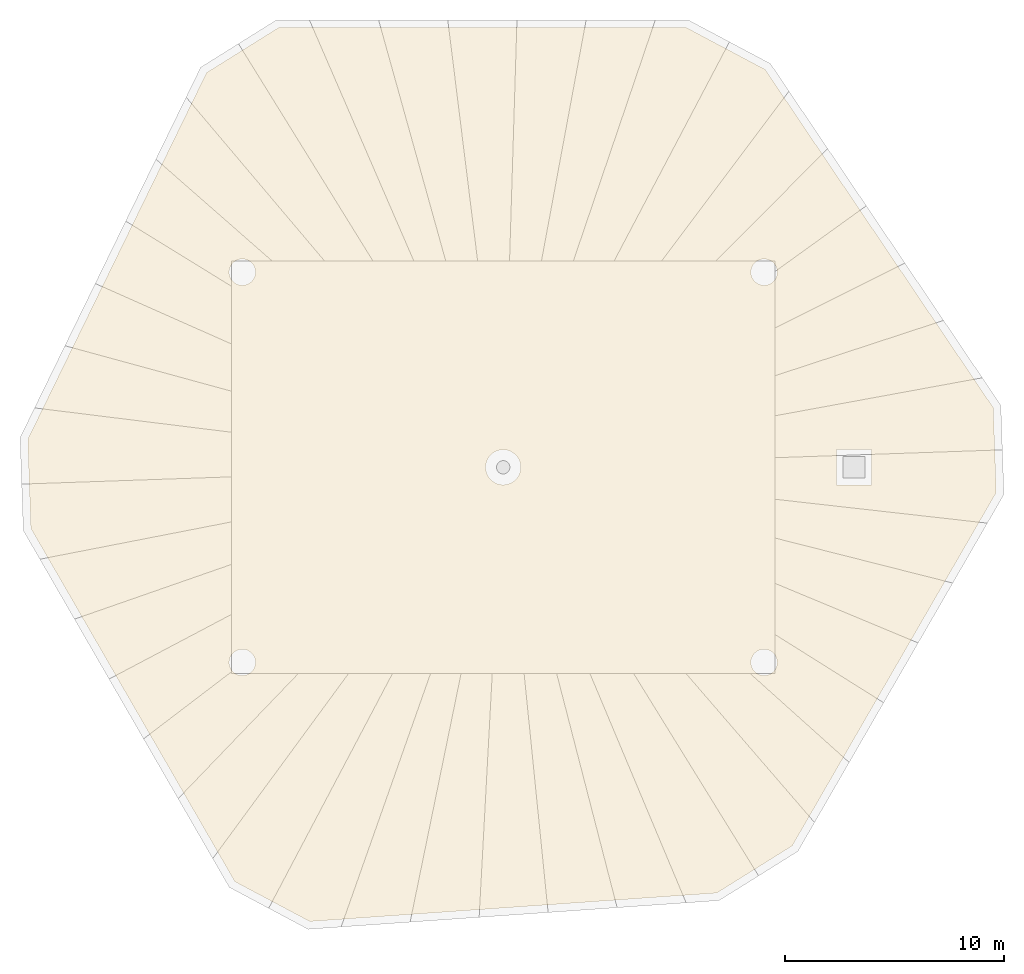
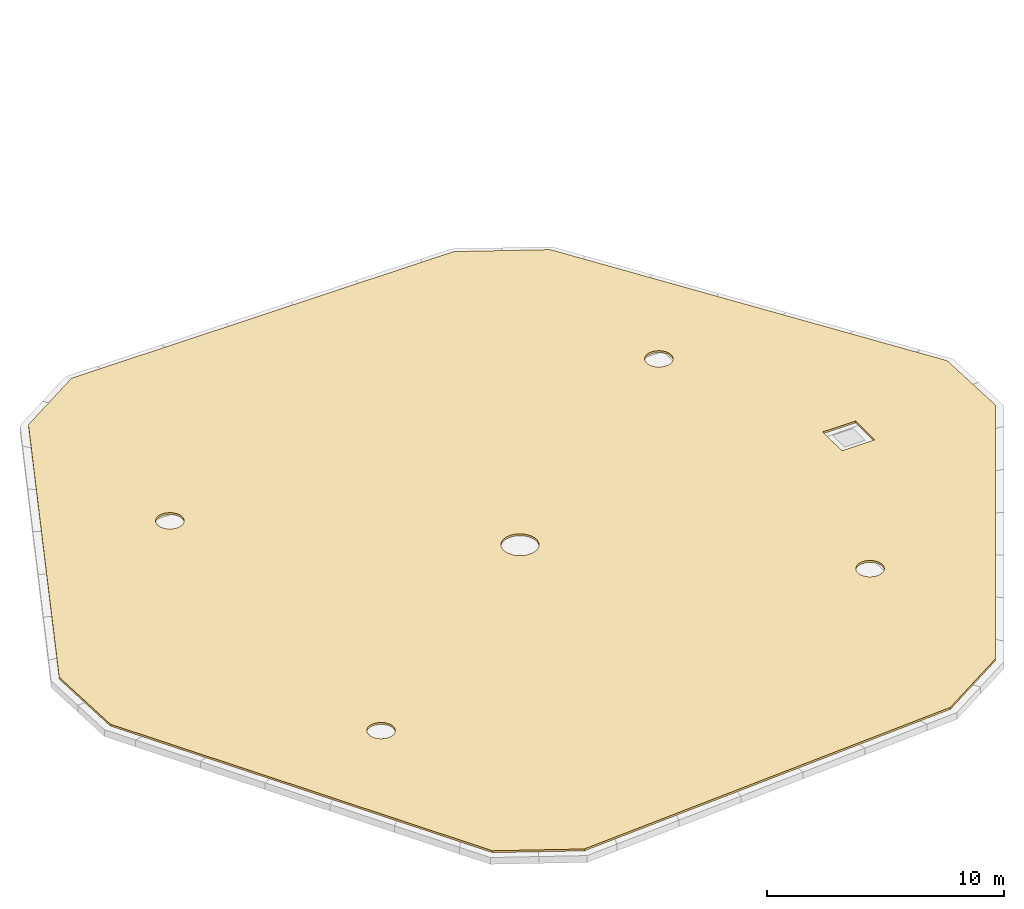
# One storey, part 2 of 3: 1 covering.
"""IFC4 building model written with IfcOpenShell, lengths in metres."""

from ifc_helpers import new_model, si_unit, direction, frame, origin, place, context, subcontext, project, spatial, polyline, outline, extrude, material, layer, layer_set, type_object, element, save


model = new_model("IFC4")

# Units and contexts
model_context = context("Model", 3, precision=1e-05, world=origin(), true_north=direction((0.0, 1.0)))
body_context = subcontext(model_context, "Body", "Model", "MODEL_VIEW")
ifc_project = project(units=[si_unit("LENGTHUNIT", "METRE"), si_unit("AREAUNIT", "SQUARE_METRE"), si_unit("VOLUMEUNIT", "CUBIC_METRE"), si_unit("PLANEANGLEUNIT", "RADIAN"), si_unit("MASSUNIT", "GRAM", prefix="KILO")], contexts=[model_context])

# Site, building, storey
site_placement = place(None, origin())
site = spatial("IfcSite", under=ifc_project, at=site_placement, CompositionType="ELEMENT")
building_placement = place(site_placement, origin())
building = spatial("IfcBuilding", under=site, at=building_placement, Name="Qingtian Harvest Tower", CompositionType="ELEMENT")
storey_placement = place(building_placement, frame((0.0, 0.0, 348.60009765625)))
storey = spatial("IfcBuildingStorey", under=building, at=storey_placement, Name="ROOF", CompositionType="ELEMENT", Elevation=348.60009765625)

# Covering
ifc_material = material(Name="Roofing membrane, insulation board and screed", Category="membrane")
ifc_layer = layer(ifc_material, 0.10009765625)
ifc_layer_set = layer_set([ifc_layer], Name="Tower roof covering RC1 100")
covering_type = type_object("IfcCoveringType", Name="Tower roof covering RC1 100", PredefinedType="ROOFING", material=ifc_layer_set)
covering_placement = place(storey_placement, origin())
element("IfcCovering", 1, at=covering_placement, inside=storey, type_object=covering_type, Name="Tower roof covering", PredefinedType="ROOFING", context=body_context, shape_type="SweptSolid", body=[
    extrude(outline(polyline([(8.359619140625, 20.050048828125), (11.947509765625, 18.142333984375), (22.352294921875, 2.716796875), (22.4873046875, -1.15087890625), (13.18408203125, -17.2646484375), (9.73779296875, -19.41796875), (-8.823486328125, -20.716064453125), (-12.240234375, -18.899169921875), (-21.543701171875, -2.785400390625), (-21.685546875, 1.27587890625), (-13.52880859375, 17.999267578125), (-10.2470703125, 20.050048828125), (8.359619140625, 20.050048828125)]), holes=[polyline([(-11.302978515625, -8.958740234375), (-11.300048828125, -8.89990234375), (-11.302978515625, -8.84130859375), (-11.3115234375, -8.782958984375), (-11.325927734375, -8.725830078125), (-11.345703125, -8.67041015625), (-11.370849609375, -8.6171875), (-11.401123046875, -8.566650390625), (-11.436279296875, -8.519287109375), (-11.475830078125, -8.475830078125), (-11.519287109375, -8.436279296875), (-11.566650390625, -8.401123046875), (-11.6171875, -8.370849609375), (-11.67041015625, -8.345703125), (-11.725830078125, -8.325927734375), (-11.782958984375, -8.3115234375), (-11.84130859375, -8.302978515625), (-11.89990234375, -8.300048828125), (-11.958740234375, -8.302978515625), (-12.01708984375, -8.3115234375), (-12.07421875, -8.325927734375), (-12.129638671875, -8.345703125), (-12.182861328125, -8.370849609375), (-12.2333984375, -8.401123046875), (-12.280517578125, -8.436279296875), (-12.32421875, -8.475830078125), (-12.36376953125, -8.519287109375), (-12.39892578125, -8.566650390625), (-12.42919921875, -8.6171875), (-12.454345703125, -8.67041015625), (-12.47412109375, -8.725830078125), (-12.488525390625, -8.782958984375), (-12.4970703125, -8.84130859375), (-12.5, -8.89990234375), (-12.4970703125, -8.958740234375), (-12.488525390625, -9.01708984375), (-12.47412109375, -9.07421875), (-12.454345703125, -9.129638671875), (-12.42919921875, -9.182861328125), (-12.39892578125, -9.2333984375), (-12.36376953125, -9.280517578125), (-12.32421875, -9.32421875), (-12.280517578125, -9.36376953125), (-12.2333984375, -9.39892578125), (-12.182861328125, -9.42919921875), (-12.129638671875, -9.454345703125), (-12.07421875, -9.47412109375), (-12.01708984375, -9.488525390625), (-11.958740234375, -9.4970703125), (-11.89990234375, -9.5), (-11.84130859375, -9.4970703125), (-11.782958984375, -9.488525390625), (-11.725830078125, -9.47412109375), (-11.67041015625, -9.454345703125), (-11.6171875, -9.42919921875), (-11.566650390625, -9.39892578125), (-11.519287109375, -9.36376953125), (-11.475830078125, -9.32421875), (-11.436279296875, -9.280517578125), (-11.401123046875, -9.2333984375), (-11.370849609375, -9.182861328125), (-11.345703125, -9.129638671875), (-11.325927734375, -9.07421875), (-11.3115234375, -9.01708984375), (-11.302978515625, -8.958740234375)]), polyline([(12.488525390625, -9.01708984375), (12.4970703125, -8.958740234375), (12.5, -8.89990234375), (12.4970703125, -8.84130859375), (12.488525390625, -8.782958984375), (12.47412109375, -8.725830078125), (12.454345703125, -8.67041015625), (12.42919921875, -8.6171875), (12.39892578125, -8.566650390625), (12.36376953125, -8.519287109375), (12.32421875, -8.475830078125), (12.280517578125, -8.436279296875), (12.2333984375, -8.401123046875), (12.182861328125, -8.370849609375), (12.129638671875, -8.345703125), (12.07421875, -8.325927734375), (12.01708984375, -8.3115234375), (11.958740234375, -8.302978515625), (11.89990234375, -8.300048828125), (11.84130859375, -8.302978515625), (11.782958984375, -8.3115234375), (11.725830078125, -8.325927734375), (11.67041015625, -8.345703125), (11.6171875, -8.370849609375), (11.566650390625, -8.401123046875), (11.519287109375, -8.436279296875), (11.475830078125, -8.475830078125), (11.436279296875, -8.519287109375), (11.401123046875, -8.566650390625), (11.370849609375, -8.6171875), (11.345703125, -8.67041015625), (11.325927734375, -8.725830078125), (11.3115234375, -8.782958984375), (11.302978515625, -8.84130859375), (11.300048828125, -8.89990234375), (11.302978515625, -8.958740234375), (11.3115234375, -9.01708984375), (11.325927734375, -9.07421875), (11.345703125, -9.129638671875), (11.370849609375, -9.182861328125), (11.401123046875, -9.2333984375), (11.436279296875, -9.280517578125), (11.475830078125, -9.32421875), (11.519287109375, -9.36376953125), (11.566650390625, -9.39892578125), (11.6171875, -9.42919921875), (11.67041015625, -9.454345703125), (11.725830078125, -9.47412109375), (11.782958984375, -9.488525390625), (11.84130859375, -9.4970703125), (11.89990234375, -9.5), (11.958740234375, -9.4970703125), (12.01708984375, -9.488525390625), (12.07421875, -9.47412109375), (12.129638671875, -9.454345703125), (12.182861328125, -9.42919921875), (12.2333984375, -9.39892578125), (12.280517578125, -9.36376953125), (12.32421875, -9.32421875), (12.36376953125, -9.280517578125), (12.39892578125, -9.2333984375), (12.42919921875, -9.182861328125), (12.454345703125, -9.129638671875), (12.47412109375, -9.07421875), (12.488525390625, -9.01708984375)]), polyline([(0.78466796875, -0.156005859375), (0.796142578125, -0.078369140625), (0.800048828125, 0.0), (0.796142578125, 0.078369140625), (0.78466796875, 0.156005859375), (0.765625, 0.232177734375), (0.739013671875, 0.30615234375), (0.70556640625, 0.377197265625), (0.665283203125, 0.4443359375), (0.618408203125, 0.507568359375), (0.565673828125, 0.565673828125), (0.507568359375, 0.618408203125), (0.4443359375, 0.665283203125), (0.377197265625, 0.70556640625), (0.30615234375, 0.739013671875), (0.232177734375, 0.765625), (0.156005859375, 0.78466796875), (0.078369140625, 0.796142578125), (0.0, 0.800048828125), (-0.078369140625, 0.796142578125), (-0.156005859375, 0.78466796875), (-0.232177734375, 0.765625), (-0.30615234375, 0.739013671875), (-0.377197265625, 0.70556640625), (-0.4443359375, 0.665283203125), (-0.507568359375, 0.618408203125), (-0.565673828125, 0.565673828125), (-0.618408203125, 0.507568359375), (-0.665283203125, 0.4443359375), (-0.70556640625, 0.377197265625), (-0.739013671875, 0.30615234375), (-0.765625, 0.232177734375), (-0.78466796875, 0.156005859375), (-0.796142578125, 0.078369140625), (-0.800048828125, 0.0), (-0.796142578125, -0.078369140625), (-0.78466796875, -0.156005859375), (-0.765625, -0.232177734375), (-0.739013671875, -0.30615234375), (-0.70556640625, -0.377197265625), (-0.665283203125, -0.4443359375), (-0.618408203125, -0.507568359375), (-0.565673828125, -0.565673828125), (-0.507568359375, -0.618408203125), (-0.4443359375, -0.665283203125), (-0.377197265625, -0.70556640625), (-0.30615234375, -0.739013671875), (-0.232177734375, -0.765625), (-0.156005859375, -0.78466796875), (-0.078369140625, -0.796142578125), (0.0, -0.800048828125), (0.078369140625, -0.796142578125), (0.156005859375, -0.78466796875), (0.232177734375, -0.765625), (0.30615234375, -0.739013671875), (0.377197265625, -0.70556640625), (0.4443359375, -0.665283203125), (0.507568359375, -0.618408203125), (0.565673828125, -0.565673828125), (0.618408203125, -0.507568359375), (0.665283203125, -0.4443359375), (0.70556640625, -0.377197265625), (0.739013671875, -0.30615234375), (0.765625, -0.232177734375), (0.78466796875, -0.156005859375)]), polyline([(15.199951171875, -0.800048828125), (16.800048828125, -0.800048828125), (16.800048828125, 0.800048828125), (15.199951171875, 0.800048828125), (15.199951171875, -0.800048828125)]), polyline([(-11.3115234375, 8.782958984375), (-11.302978515625, 8.84130859375), (-11.300048828125, 8.89990234375), (-11.302978515625, 8.958740234375), (-11.3115234375, 9.01708984375), (-11.325927734375, 9.07421875), (-11.345703125, 9.129638671875), (-11.370849609375, 9.182861328125), (-11.401123046875, 9.2333984375), (-11.436279296875, 9.280517578125), (-11.475830078125, 9.32421875), (-11.519287109375, 9.36376953125), (-11.566650390625, 9.39892578125), (-11.6171875, 9.42919921875), (-11.67041015625, 9.454345703125), (-11.725830078125, 9.47412109375), (-11.782958984375, 9.488525390625), (-11.84130859375, 9.4970703125), (-11.89990234375, 9.5), (-11.958740234375, 9.4970703125), (-12.01708984375, 9.488525390625), (-12.07421875, 9.47412109375), (-12.129638671875, 9.454345703125), (-12.182861328125, 9.42919921875), (-12.2333984375, 9.39892578125), (-12.280517578125, 9.36376953125), (-12.32421875, 9.32421875), (-12.36376953125, 9.280517578125), (-12.39892578125, 9.2333984375), (-12.42919921875, 9.182861328125), (-12.454345703125, 9.129638671875), (-12.47412109375, 9.07421875), (-12.488525390625, 9.01708984375), (-12.4970703125, 8.958740234375), (-12.5, 8.89990234375), (-12.4970703125, 8.84130859375), (-12.488525390625, 8.782958984375), (-12.47412109375, 8.725830078125), (-12.454345703125, 8.67041015625), (-12.42919921875, 8.6171875), (-12.39892578125, 8.566650390625), (-12.36376953125, 8.519287109375), (-12.32421875, 8.475830078125), (-12.280517578125, 8.436279296875), (-12.2333984375, 8.401123046875), (-12.182861328125, 8.370849609375), (-12.129638671875, 8.345703125), (-12.07421875, 8.325927734375), (-12.01708984375, 8.3115234375), (-11.958740234375, 8.302978515625), (-11.89990234375, 8.300048828125), (-11.84130859375, 8.302978515625), (-11.782958984375, 8.3115234375), (-11.725830078125, 8.325927734375), (-11.67041015625, 8.345703125), (-11.6171875, 8.370849609375), (-11.566650390625, 8.401123046875), (-11.519287109375, 8.436279296875), (-11.475830078125, 8.475830078125), (-11.436279296875, 8.519287109375), (-11.401123046875, 8.566650390625), (-11.370849609375, 8.6171875), (-11.345703125, 8.67041015625), (-11.325927734375, 8.725830078125), (-11.3115234375, 8.782958984375)]), polyline([(12.488525390625, 8.782958984375), (12.4970703125, 8.84130859375), (12.5, 8.89990234375), (12.4970703125, 8.958740234375), (12.488525390625, 9.01708984375), (12.47412109375, 9.07421875), (12.454345703125, 9.129638671875), (12.42919921875, 9.182861328125), (12.39892578125, 9.2333984375), (12.36376953125, 9.280517578125), (12.32421875, 9.32421875), (12.280517578125, 9.36376953125), (12.2333984375, 9.39892578125), (12.182861328125, 9.42919921875), (12.129638671875, 9.454345703125), (12.07421875, 9.47412109375), (12.01708984375, 9.488525390625), (11.958740234375, 9.4970703125), (11.89990234375, 9.5), (11.84130859375, 9.4970703125), (11.782958984375, 9.488525390625), (11.725830078125, 9.47412109375), (11.67041015625, 9.454345703125), (11.6171875, 9.42919921875), (11.566650390625, 9.39892578125), (11.519287109375, 9.36376953125), (11.475830078125, 9.32421875), (11.436279296875, 9.280517578125), (11.401123046875, 9.2333984375), (11.370849609375, 9.182861328125), (11.345703125, 9.129638671875), (11.325927734375, 9.07421875), (11.3115234375, 9.01708984375), (11.302978515625, 8.958740234375), (11.300048828125, 8.89990234375), (11.302978515625, 8.84130859375), (11.3115234375, 8.782958984375), (11.325927734375, 8.725830078125), (11.345703125, 8.67041015625), (11.370849609375, 8.6171875), (11.401123046875, 8.566650390625), (11.436279296875, 8.519287109375), (11.475830078125, 8.475830078125), (11.519287109375, 8.436279296875), (11.566650390625, 8.401123046875), (11.6171875, 8.370849609375), (11.67041015625, 8.345703125), (11.725830078125, 8.325927734375), (11.782958984375, 8.3115234375), (11.84130859375, 8.302978515625), (11.89990234375, 8.300048828125), (11.958740234375, 8.302978515625), (12.01708984375, 8.3115234375), (12.07421875, 8.325927734375), (12.129638671875, 8.345703125), (12.182861328125, 8.370849609375), (12.2333984375, 8.401123046875), (12.280517578125, 8.436279296875), (12.32421875, 8.475830078125), (12.36376953125, 8.519287109375), (12.39892578125, 8.566650390625), (12.42919921875, 8.6171875), (12.454345703125, 8.67041015625), (12.47412109375, 8.725830078125), (12.488525390625, 8.782958984375)])]), origin(), (0.0, 0.0, 1.0), 0.099853515625),
])

save(model, "model.ifc")
